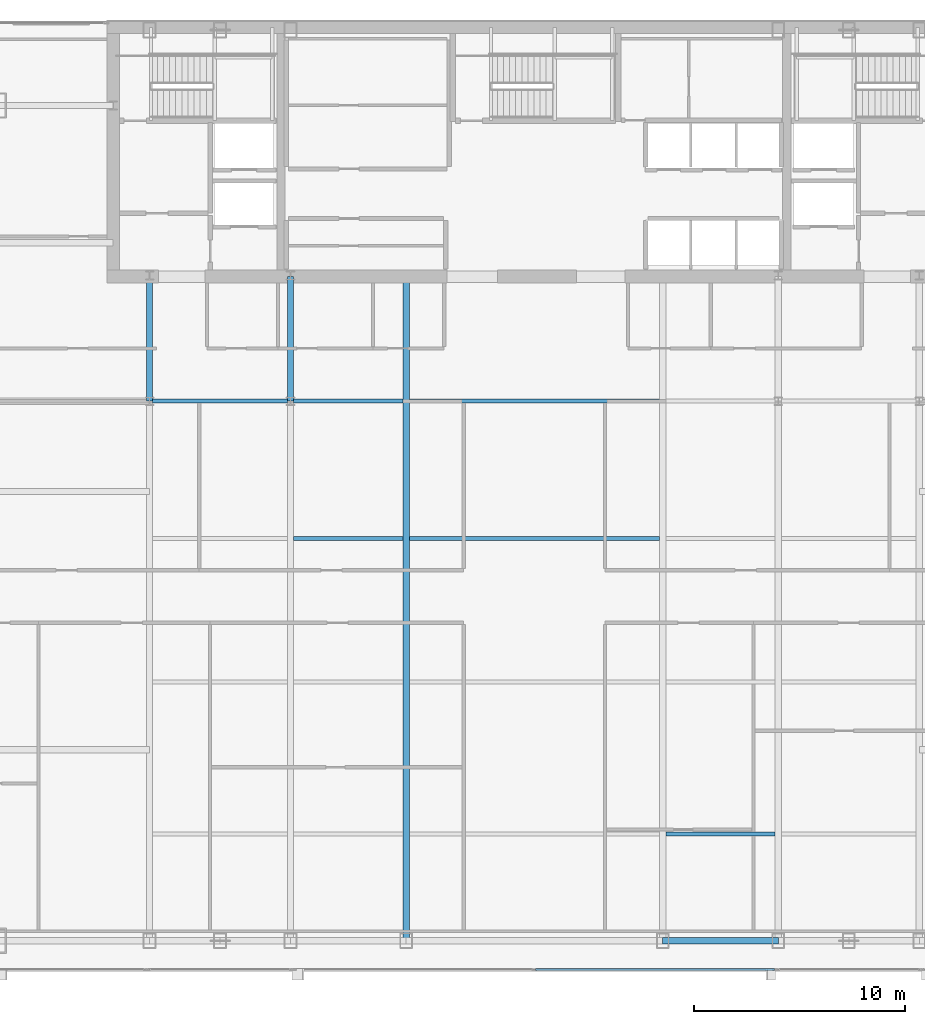
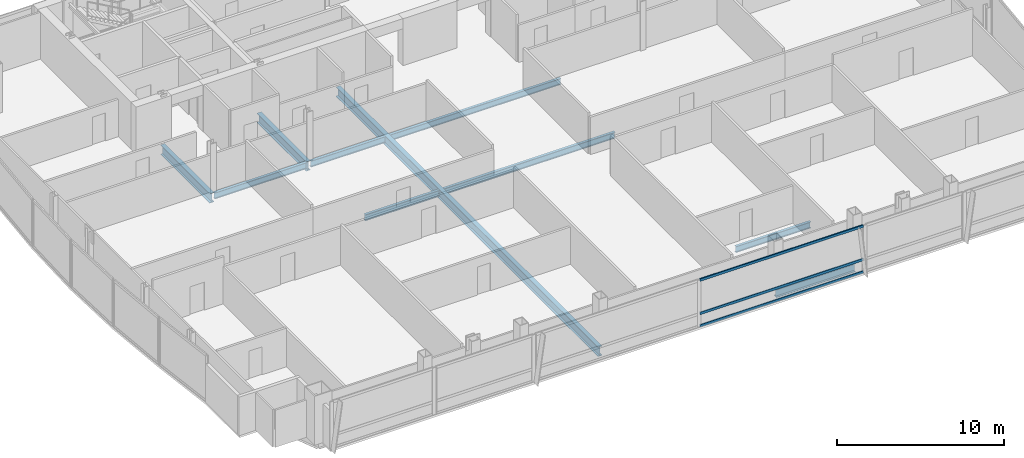
# One storey, part 13 of 32: 10 beams, 3 members, 1 element without a shape of its own.
"""IFC4 building model written with IfcOpenShell, lengths in metres."""

from ifc_helpers import new_model, si_unit, direction, frame, origin, origin_2d, place, context, subcontext, project, spatial, hollow_rectangle, i_section, extrude, material, material_profile, profile_set, type_object, element, aggregate, save


model = new_model("IFC4")

# Units and contexts
model_context = context("Model", 3, precision=1e-05, world=origin(), true_north=direction((0.0, 1.0)))
body_context = subcontext(model_context, "Body", "Model", "MODEL_VIEW")
ifc_project = project(units=[si_unit("LENGTHUNIT", "METRE"), si_unit("AREAUNIT", "SQUARE_METRE"), si_unit("VOLUMEUNIT", "CUBIC_METRE"), si_unit("PLANEANGLEUNIT", "RADIAN"), si_unit("MASSUNIT", "GRAM", prefix="KILO")], contexts=[model_context])

# Site, building, storey
site_placement = place(None, origin())
site = spatial("IfcSite", under=ifc_project, at=site_placement, CompositionType="ELEMENT")
building_placement = place(site_placement, origin())
building = spatial("IfcBuilding", under=site, at=building_placement, Name="Khoronbel Lancet Exchange", CompositionType="ELEMENT")
storey_placement = place(building_placement, frame((0.0, 0.0, 195.800048828125)))
storey = spatial("IfcBuildingStorey", under=building, at=storey_placement, Name="L49", CompositionType="ELEMENT", Elevation=195.800048828125)

# Beams
ifc_material_1 = material(Name="Steel S355", Category="steel")
ifc_material_profile_1 = material_profile(ifc_material_1, i_section(OverallWidth=0.300048828125, OverallDepth=0.699951171875, WebThickness=0.01708984375, FlangeThickness=0.031982421875, at=origin_2d()), Name="HEB 700")
ifc_profile_set_1 = profile_set([ifc_material_profile_1], Name="Steel S355")
beam_type_1 = type_object("IfcBeamType", Name="BM-BG3", PredefinedType="BEAM", material=ifc_profile_set_1)
for number, where, z_axis, x_axis, name in (
    (1, (18.22509765625, 35.699951171875, -0.510009765625), (0.0, 1.0, 0.0), (-1.0, 0.0, 0.0), "Level L49 spine tie girder GN1"),
    (2, (24.89990234375, 35.699951171875, -0.510009765625), (0.0, 1.0, 0.0), (-1.0, 0.0, 0.0), "Level L49 spine tie girder GN2"),
):
    element("IfcBeam", number, at=place(storey_placement, frame(where, z_axis=z_axis, x_axis=x_axis)), inside=storey, type_object=beam_type_1, Name=name, PredefinedType="BEAM", context=body_context, shape_type="SweptSolid", body=[
        extrude(i_section(OverallWidth=0.300048828125, OverallDepth=0.699951171875, WebThickness=0.01708984375, FlangeThickness=0.031982421875, at=origin_2d()), origin(), (0.0, 0.0, 1.0), 5.900146484375),
    ])
beam_1_placement = place(storey_placement, frame((30.375, 10.14990234375, -0.510009765625), z_axis=(0.0, 1.0, 0.0), x_axis=(-1.0, 0.0, 0.0)))
element("IfcBeam", 3, at=beam_1_placement, inside=storey, type_object=beam_type_1, Name="Level L49 primary floor girder G3", PredefinedType="BEAM", context=body_context, shape_type="SweptSolid", body=[
    extrude(i_section(OverallWidth=0.300048828125, OverallDepth=0.699951171875, WebThickness=0.01708984375, FlangeThickness=0.031982421875, at=origin_2d()), origin(), (0.0, 0.0, 1.0), 31.4501953125),
])
ifc_material_profile_2 = material_profile(ifc_material_1, i_section(OverallWidth=0.18994140625, OverallDepth=0.449951171875, WebThickness=0.009521484375, FlangeThickness=0.0146484375, at=origin_2d()), Name="IPE 450")
ifc_profile_set_2 = profile_set([ifc_material_profile_2], Name="Steel S355")
beam_type_2 = type_object("IfcBeamType", Name="BM-BJ4", PredefinedType="JOIST", material=ifc_profile_set_2)
for number, where, z_axis, x_axis, name in (
    (4, (42.675048828125, 15.199951171875, -0.385009765625), (1.0, 0.0, 0.0), (0.0, 1.0, 0.0), "Level L49 secondary composite joist J04"),
    (5, (25.050048828125, 29.199951171875, -0.385009765625), (1.0, 0.0, 0.0), (0.0, 1.0, 0.0), "Level L49 secondary composite joist J12"),
):
    element("IfcBeam", number, at=place(storey_placement, frame(where, z_axis=z_axis, x_axis=x_axis)), inside=storey, type_object=beam_type_2, Name=name, PredefinedType="JOIST", context=body_context, shape_type="SweptSolid", body=[
        extrude(i_section(OverallWidth=0.18994140625, OverallDepth=0.449951171875, WebThickness=0.009521484375, FlangeThickness=0.0146484375, at=origin_2d()), origin(), (0.0, 0.0, 1.0), 5.175048828125),
    ])
beam_2_placement = place(storey_placement, frame((30.52490234375, 29.199951171875, -0.385009765625), z_axis=(1.0, 0.0, 0.0), x_axis=(0.0, 1.0, 0.0)))
element("IfcBeam", 6, at=beam_2_placement, inside=storey, type_object=beam_type_2, Name="Level L49 secondary composite joist J13", PredefinedType="JOIST", context=body_context, shape_type="SweptSolid", body=[
    extrude(i_section(OverallWidth=0.18994140625, OverallDepth=0.449951171875, WebThickness=0.009521484375, FlangeThickness=0.0146484375, at=origin_2d()), origin(), (0.0, 0.0, 1.0), 11.85009765625),
])
beam_3_placement = place(storey_placement, frame((18.375, 35.699951171875, -0.385009765625), z_axis=(1.0, 0.0, 0.0), x_axis=(0.0, 1.0, 0.0)))
element("IfcBeam", 7, at=beam_3_placement, inside=storey, type_object=beam_type_2, Name="Level L49 secondary composite joist J16", PredefinedType="JOIST", context=body_context, shape_type="SweptSolid", body=[
    extrude(i_section(OverallWidth=0.18994140625, OverallDepth=0.449951171875, WebThickness=0.009521484375, FlangeThickness=0.0146484375, at=origin_2d()), origin(), (0.0, 0.0, 1.0), 6.375),
])
beam_4_placement = place(storey_placement, frame((25.050048828125, 35.699951171875, -0.385009765625), z_axis=(1.0, 0.0, 0.0), x_axis=(0.0, 1.0, 0.0)))
element("IfcBeam", 8, at=beam_4_placement, inside=storey, type_object=beam_type_2, Name="Level L49 secondary composite joist J17", PredefinedType="JOIST", context=body_context, shape_type="SweptSolid", body=[
    extrude(i_section(OverallWidth=0.18994140625, OverallDepth=0.449951171875, WebThickness=0.009521484375, FlangeThickness=0.0146484375, at=origin_2d()), origin(), (0.0, 0.0, 1.0), 5.175048828125),
])
beam_5_placement = place(storey_placement, frame((30.52490234375, 35.699951171875, -0.385009765625), z_axis=(1.0, 0.0, 0.0), x_axis=(0.0, 1.0, 0.0)))
element("IfcBeam", 9, at=beam_5_placement, inside=storey, type_object=beam_type_2, Name="Level L49 secondary composite joist J18", PredefinedType="JOIST", context=body_context, shape_type="SweptSolid", body=[
    extrude(i_section(OverallWidth=0.18994140625, OverallDepth=0.449951171875, WebThickness=0.009521484375, FlangeThickness=0.0146484375, at=origin_2d()), origin(), (0.0, 0.0, 1.0), 11.85009765625),
])
ifc_material_profile_3 = material_profile(ifc_material_1, i_section(OverallWidth=0.300048828125, OverallDepth=0.60009765625, WebThickness=0.015380859375, FlangeThickness=0.030029296875, at=origin_2d()), Name="HEB 600")
ifc_profile_set_3 = profile_set([ifc_material_profile_3], Name="Steel S355")
beam_type_3 = type_object("IfcBeamType", Name="BM-BSP2", PredefinedType="SPANDREL", material=ifc_profile_set_3)
beam_6_placement = place(storey_placement, frame((42.52490234375, 10.14990234375, -0.4599609375), z_axis=(1.0, 0.0, 0.0), x_axis=(0.0, 1.0, 0.0)))
element("IfcBeam", 10, at=beam_6_placement, inside=storey, type_object=beam_type_3, Name="Level L49 perimeter spandrel beam SP06", PredefinedType="SPANDREL", context=body_context, shape_type="SweptSolid", body=[
    extrude(i_section(OverallWidth=0.300048828125, OverallDepth=0.60009765625, WebThickness=0.015380859375, FlangeThickness=0.030029296875, at=origin_2d()), origin(), (0.0, 0.0, 1.0), 5.47509765625),
])

# Curtain wall, members
ifc_material_2 = material(Name="Low-E Solar Control Insulating Glass", Category="glass")
curtain_wall_type = type_object("IfcCurtainWallType", Name="CW-3", PredefinedType="NOTDEFINED", material=ifc_material_2)
curtain_wall_placement = place(storey_placement, origin())
curtain_wall = element("IfcCurtainWall", 11, at=curtain_wall_placement, inside=storey, type_object=curtain_wall_type, Name="Unitised curtain wall CW-L49-SCV", PredefinedType="NOTDEFINED")
ifc_material_3 = material(Name="Bronze-Anodised Aluminium 6063-T6", Category="aluminium")
ifc_material_profile_4 = material_profile(ifc_material_3, hollow_rectangle(XDim=0.0849609375, YDim=0.179931640625, WallThickness=0.0048828125, at=origin_2d()), Name="ALU TRANSOM 85x180")
ifc_profile_set_4 = profile_set([ifc_material_profile_4], Name="Bronze-Anodised Aluminium 6063-T6")
member_type = type_object("IfcMemberType", Name="MEM-CWT1", PredefinedType="USERDEFINED", material=ifc_profile_set_4)
member_1_placement = place(storey_placement, frame((36.492431640625, 8.7900390625, 0.04248046875), z_axis=(1.0, 0.0, 0.0), x_axis=(0.0, 1.0, 0.0)))
member_1 = element("IfcMember", 12, at=member_1_placement, type_object=member_type, Name="CW3 transom 2.1", ObjectType="TRANSOM", PredefinedType="USERDEFINED", context=body_context, shape_type="SweptSolid", body=[
    extrude(hollow_rectangle(XDim=0.0849609375, YDim=0.179931640625, WallThickness=0.0048828125, at=origin_2d()), origin(), (0.0, 0.0, 1.0), 11.322509765625),
])
member_2_placement = place(storey_placement, frame((36.492431640625, 8.7900390625, 0.949951171875), z_axis=(1.0, 0.0, 0.0), x_axis=(0.0, 1.0, 0.0)))
member_2 = element("IfcMember", 13, at=member_2_placement, type_object=member_type, Name="CW3 transom 2.2", ObjectType="TRANSOM", PredefinedType="USERDEFINED", context=body_context, shape_type="SweptSolid", body=[
    extrude(hollow_rectangle(XDim=0.0849609375, YDim=0.179931640625, WallThickness=0.0048828125, at=origin_2d()), origin(), (0.0, 0.0, 1.0), 11.322509765625),
])
member_3_placement = place(storey_placement, frame((36.492431640625, 8.7900390625, 3.3974609375), z_axis=(1.0, 0.0, 0.0), x_axis=(0.0, 1.0, 0.0)))
member_3 = element("IfcMember", 14, at=member_3_placement, type_object=member_type, Name="CW3 transom 2.3", ObjectType="TRANSOM", PredefinedType="USERDEFINED", context=body_context, shape_type="SweptSolid", body=[
    extrude(hollow_rectangle(XDim=0.0849609375, YDim=0.179931640625, WallThickness=0.0048828125, at=origin_2d()), origin(), (0.0, 0.0, 1.0), 11.322509765625),
])
aggregate(curtain_wall, [member_1, member_2, member_3])

save(model, "model.ifc")
